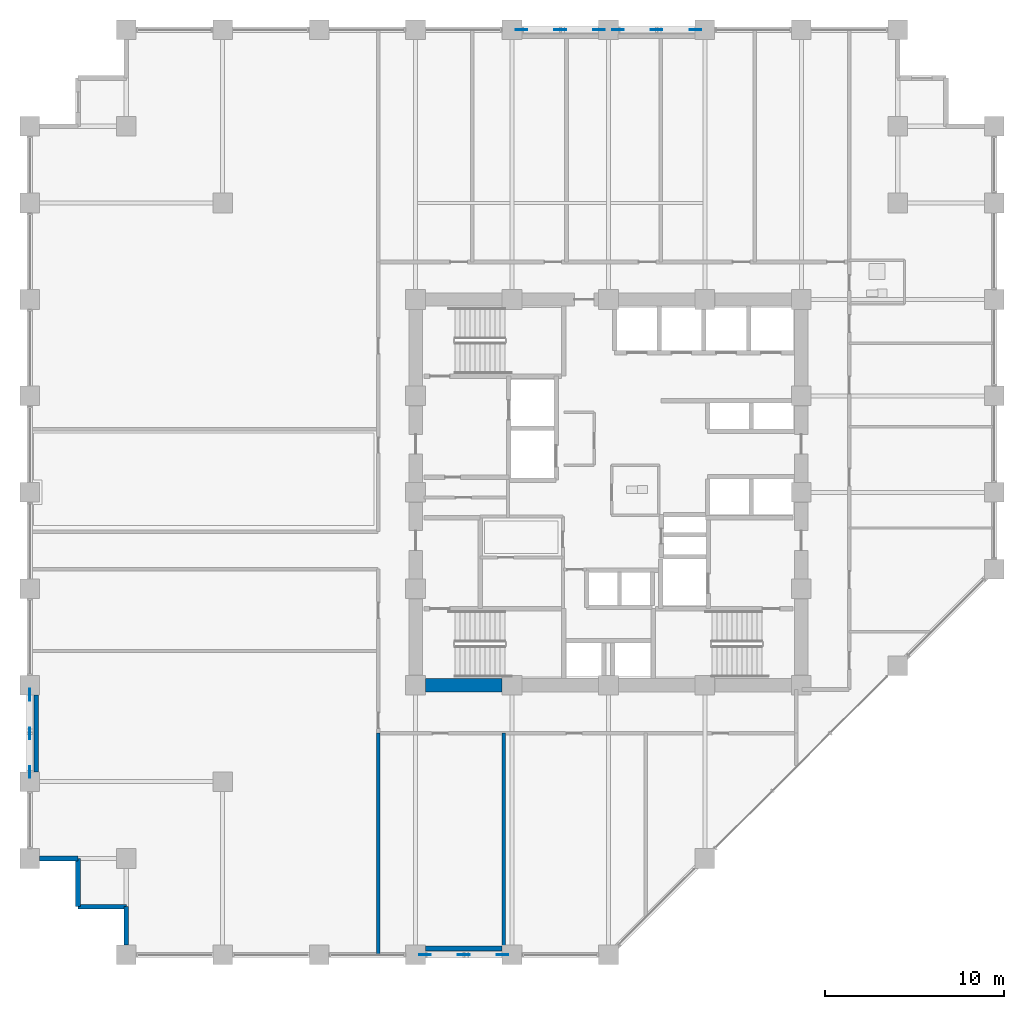
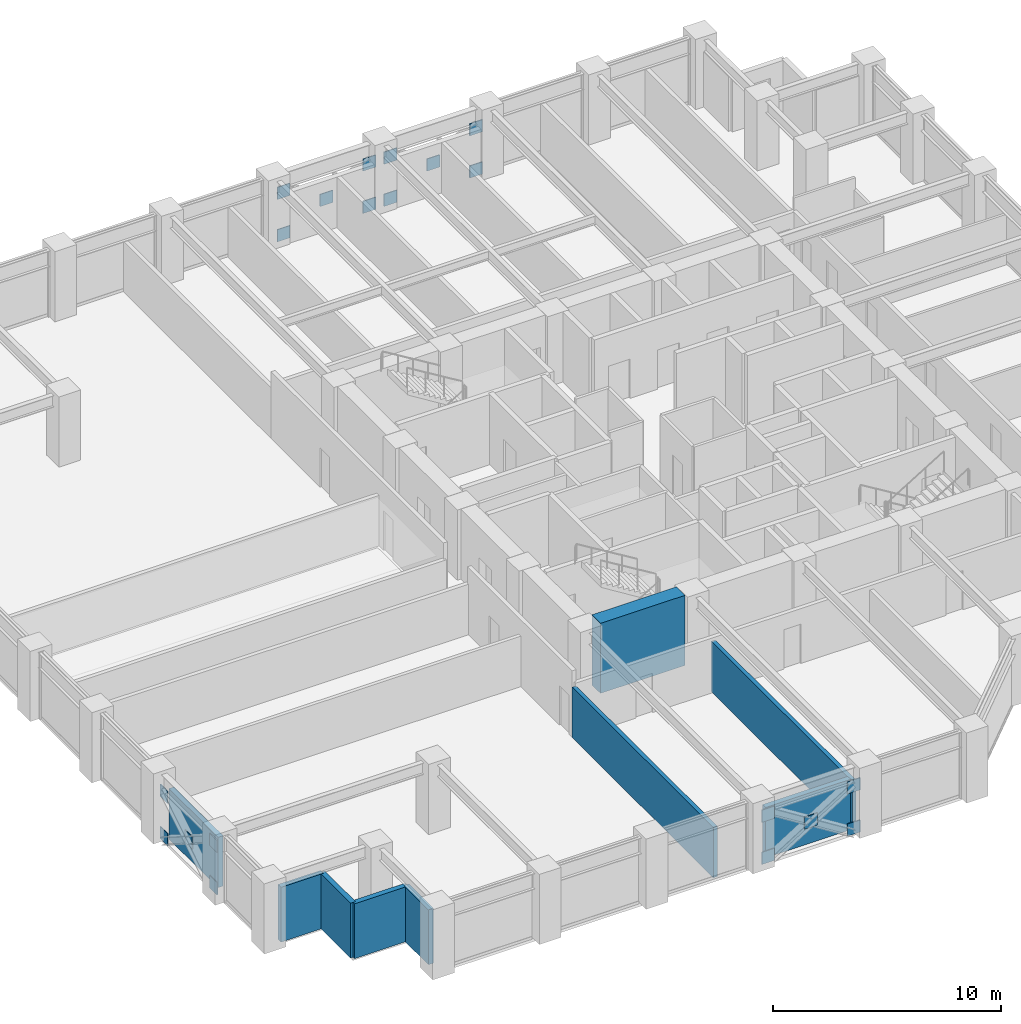
# One storey, part 18 of 25: 20 plates, 9 walls.
"""IFC4 building model written with IfcOpenShell, lengths in metres."""

from ifc_helpers import new_model, si_unit, direction, frame, frame_2d, origin, origin_2d, place, context, subcontext, project, spatial, rectangle, extrude, material, layer, layer_set, type_object, element, save


model = new_model("IFC4")

# Units and contexts
model_context = context("Model", 3, precision=1e-05, world=origin(), true_north=direction((0.0, 1.0)))
body_context = subcontext(model_context, "Body", "Model", "MODEL_VIEW")
ifc_project = project(units=[si_unit("LENGTHUNIT", "METRE"), si_unit("AREAUNIT", "SQUARE_METRE"), si_unit("VOLUMEUNIT", "CUBIC_METRE"), si_unit("PLANEANGLEUNIT", "RADIAN"), si_unit("MASSUNIT", "GRAM", prefix="KILO")], contexts=[model_context])

# Site, building, storey
site_placement = place(None, origin())
site = spatial("IfcSite", under=ifc_project, at=site_placement, CompositionType="ELEMENT")
building_placement = place(site_placement, origin())
building = spatial("IfcBuilding", under=site, at=building_placement, Name="Surkhivell Harbour Commons", CompositionType="ELEMENT")
storey_placement = place(building_placement, frame((0.0, 0.0, 117.0)))
storey = spatial("IfcBuildingStorey", under=building, at=storey_placement, Name="L30", CompositionType="ELEMENT", Elevation=117.0)

# Plates
ifc_material_1 = material(Name="Steel S460", Category="steel")
ifc_layer_1 = layer(ifc_material_1, 0.044921875)
ifc_layer_set_1 = layer_set([ifc_layer_1], Name="Steel S460")
plate_type = type_object("IfcPlateType", Name="PLT-GUS-650", PredefinedType="USERDEFINED", material=ifc_layer_set_1)
for number, where, z_axis, x_axis, name in (
    (1, (-4.864990234375, 25.89990234375, -0.08935546875), (0.0, 0.0, 1.0), (1.0, 0.0, 0.0), "L30 Perimeter Mega-Brace MB- Corner Gusset N-1"),
    (2, (-0.534912109375, 25.89990234375, -0.08935546875), (0.0, 0.0, 1.0), (1.0, 0.0, 0.0), "L30 Perimeter Mega-Brace MB- Corner Gusset N-2"),
    (3, (-4.864990234375, 25.89990234375, 2.170654296875), (0.0, 0.0, 1.0), (1.0, 0.0, 0.0), "L30 Perimeter Mega-Brace MB- Corner Gusset N-3"),
    (4, (-0.534912109375, 25.89990234375, 2.170654296875), (0.0, 0.0, 1.0), (1.0, 0.0, 0.0), "L30 Perimeter Mega-Brace MB- Corner Gusset N-4"),
    (5, (-2.699951171875, 25.89990234375, 1.04052734375), (0.0, 0.0, 1.0), (1.0, 0.0, 0.0), "L30 Perimeter Mega-Brace MB- Central Crossing Gusset N"),
    (6, (0.534912109375, 25.89990234375, -0.08935546875), (0.0, 0.0, 1.0), (1.0, 0.0, 0.0), "L30 Perimeter Mega-Brace MB- Corner Gusset N2-1"),
    (7, (4.864990234375, 25.89990234375, -0.08935546875), (0.0, 0.0, 1.0), (1.0, 0.0, 0.0), "L30 Perimeter Mega-Brace MB- Corner Gusset N2-2"),
    (8, (0.534912109375, 25.89990234375, 2.170654296875), (0.0, 0.0, 1.0), (1.0, 0.0, 0.0), "L30 Perimeter Mega-Brace MB- Corner Gusset N2-3"),
    (9, (4.864990234375, 25.89990234375, 2.170654296875), (0.0, 0.0, 1.0), (1.0, 0.0, 0.0), "L30 Perimeter Mega-Brace MB- Corner Gusset N2-4"),
    (10, (2.699951171875, 25.89990234375, 1.04052734375), (0.0, 0.0, 1.0), (1.0, 0.0, 0.0), "L30 Perimeter Mega-Brace MB- Central Crossing Gusset N2"),
    (11, (-10.264892578125, -25.89990234375, -0.08935546875), (0.0, 0.0, 1.0), (1.0, 0.0, 0.0), "L30 Perimeter Mega-Brace MB- Corner Gusset S-1"),
    (12, (-5.93505859375, -25.89990234375, -0.08935546875), (0.0, 0.0, 1.0), (1.0, 0.0, 0.0), "L30 Perimeter Mega-Brace MB- Corner Gusset S-2"),
    (13, (-10.264892578125, -25.89990234375, 2.170654296875), (0.0, 0.0, 1.0), (1.0, 0.0, 0.0), "L30 Perimeter Mega-Brace MB- Corner Gusset S-3"),
    (14, (-5.93505859375, -25.89990234375, 2.170654296875), (0.0, 0.0, 1.0), (1.0, 0.0, 0.0), "L30 Perimeter Mega-Brace MB- Corner Gusset S-4"),
    (15, (-8.10009765625, -25.89990234375, 1.04052734375), (0.0, 0.0, 1.0), (1.0, 0.0, 0.0), "L30 Perimeter Mega-Brace MB- Central Crossing Gusset S"),
    (16, (-32.39990234375, -15.6650390625, -0.08935546875), (0.0, 0.0, 1.0), (0.0, 1.0, 0.0), "L30 Perimeter Mega-Brace MB- Corner Gusset W-1"),
    (17, (-32.39990234375, -11.3349609375, -0.08935546875), (0.0, 0.0, 1.0), (0.0, 1.0, 0.0), "L30 Perimeter Mega-Brace MB- Corner Gusset W-2"),
    (18, (-32.39990234375, -15.6650390625, 2.170654296875), (0.0, 0.0, 1.0), (0.0, 1.0, 0.0), "L30 Perimeter Mega-Brace MB- Corner Gusset W-3"),
    (19, (-32.39990234375, -11.3349609375, 2.170654296875), (0.0, 0.0, 1.0), (0.0, 1.0, 0.0), "L30 Perimeter Mega-Brace MB- Corner Gusset W-4"),
    (20, (-32.39990234375, -13.5, 1.04052734375), (0.0, 0.0, 1.0), (0.0, 1.0, 0.0), "L30 Perimeter Mega-Brace MB- Central Crossing Gusset W"),
):
    element("IfcPlate", number, at=place(storey_placement, frame(where, z_axis=z_axis, x_axis=x_axis)), inside=storey, type_object=plate_type, Name=name, ObjectType="GUSSET_PLATE", PredefinedType="USERDEFINED", context=body_context, shape_type="SweptSolid", body=[
        extrude(rectangle(XDim=0.64990234375, YDim=0.044921875, at=origin_2d()), origin(), (0.0, 0.0, 1.0), 0.64990234375),
    ])

# Walls
ifc_material_2 = material(Name="Concrete C60/75", Category="concrete")
ifc_layer_2 = layer(ifc_material_2, 0.75)
ifc_layer_set_2 = layer_set([ifc_layer_2], Name="Concrete C60/75")
wall_type_1 = type_object("IfcWallType", Name="WAL-CORE-750", PredefinedType="SHEAR", material=ifc_layer_set_2)
wall_1_placement = place(storey_placement, frame((-10.239990234375, -10.800048828125, 0.0), z_axis=(0.0, 0.0, 1.0), x_axis=(1.0, 0.0, 0.0)))
element("IfcWall", 21, at=wall_1_placement, inside=storey, type_object=wall_type_1, Name="L30 Core Shear Wall South 1", PredefinedType="SHEAR", context=body_context, shape_type="SweptSolid", body=[
    extrude(rectangle(XDim=4.280029296875, YDim=0.75, at=frame_2d((2.14013671875, 0.0))), origin(), (0.0, 0.0, 1.0), 3.75),
])
ifc_material_3 = material(Name="Pale-metal insulated precast concrete C45/55", Category="concrete")
ifc_layer_3 = layer(ifc_material_3, 0.260009765625)
ifc_layer_set_3 = layer_set([ifc_layer_3], Name="Pale-metal insulated precast concrete C45/55")
wall_type_2 = type_object("IfcWallType", Name="WAL-EXT-MTL260", PredefinedType="STANDARD", material=ifc_layer_set_3)
wall_2_placement = place(storey_placement, frame((-10.251953125, -25.5400390625, 0.0), z_axis=(0.0, 0.0, 1.0), x_axis=(1.0, 0.0, 0.0)))
element("IfcWall", 22, at=wall_2_placement, inside=storey, type_object=wall_type_2, Name="L30 Braced-Bay Insulated Spandrel Backing S", PredefinedType="STANDARD", context=body_context, shape_type="SweptSolid", body=[
    extrude(rectangle(XDim=4.303955078125, YDim=0.260009765625, at=frame_2d((2.15185546875, 0.0))), origin(), (0.0, 0.0, 1.0), 2.698974609375),
])
wall_3_placement = place(storey_placement, frame((-32.0400390625, -11.347900390625, 0.0), z_axis=(0.0, 0.0, 1.0), x_axis=(0.0, -1.0, 0.0)))
element("IfcWall", 23, at=wall_3_placement, inside=storey, type_object=wall_type_2, Name="L30 Braced-Bay Insulated Spandrel Backing W", PredefinedType="STANDARD", context=body_context, shape_type="SweptSolid", body=[
    extrude(rectangle(XDim=4.30419921875, YDim=0.260009765625, at=frame_2d((2.152099609375, 0.0))), origin(), (0.0, 0.0, 1.0), 2.698974609375),
])
wall_4_placement = place(storey_placement, frame((-31.85205078125, -20.5, 0.0), z_axis=(0.0, 0.0, 1.0), x_axis=(1.0, 0.0, 0.0)))
element("IfcWall", 24, at=wall_4_placement, inside=storey, type_object=wall_type_2, Name="L30 Serrated Corner Facade Wall 13", PredefinedType="STANDARD", context=body_context, shape_type="SweptSolid", body=[
    extrude(rectangle(XDim=2.152099609375, YDim=0.260009765625, at=frame_2d((1.076171875, 0.0))), origin(), (0.0, 0.0, 1.0), 2.93310546875),
])
for number, where, z_axis, x_axis, name in (
    (25, (-29.699951171875, -20.5, 0.0), (0.0, 0.0, 1.0), (0.0, -1.0, 0.0), "L30 Serrated Corner Facade Wall 14"),
    (26, (-29.699951171875, -23.199951171875, 0.0), (0.0, 0.0, 1.0), (1.0, 0.0, 0.0), "L30 Serrated Corner Facade Wall 15"),
):
    element("IfcWall", number, at=place(storey_placement, frame(where, z_axis=z_axis, x_axis=x_axis)), inside=storey, type_object=wall_type_2, Name=name, PredefinedType="STANDARD", context=body_context, shape_type="SweptSolid", body=[
        extrude(rectangle(XDim=2.699951171875, YDim=0.260009765625, at=frame_2d((1.35009765625, 0.0))), origin(), (0.0, 0.0, 1.0), 2.93310546875),
    ])
wall_5_placement = place(storey_placement, frame((-27.0, -23.199951171875, 0.0), z_axis=(0.0, 0.0, 1.0), x_axis=(0.0, -1.0, 0.0)))
element("IfcWall", 27, at=wall_5_placement, inside=storey, type_object=wall_type_2, Name="L30 Serrated Corner Facade Wall 16", PredefinedType="STANDARD", context=body_context, shape_type="SweptSolid", body=[
    extrude(rectangle(XDim=2.152099609375, YDim=0.260009765625, at=frame_2d((1.076171875, 0.0))), origin(), (0.0, 0.0, 1.0), 2.93310546875),
])
ifc_material_4 = material(Name="Autoclaved aerated concrete blockwork and fire plaster", Category="masonry")
ifc_layer_4 = layer(ifc_material_4, 0.199951171875)
ifc_layer_set_4 = layer_set([ifc_layer_4], Name="Autoclaved aerated concrete blockwork and fire plaster")
wall_type_3 = type_object("IfcWallType", Name="WAL-INT-200", PredefinedType="PARTITIONING", material=ifc_layer_set_4)
for number, where, z_axis, x_axis, name in (
    (28, (-12.89990234375, -25.840087890625, 0.0), (0.0, 0.0, 1.0), (0.0, 1.0, 0.0), "L30 South-West Wing Corner Divider"),
    (29, (-5.8701171875, -25.840087890625, 0.0), (0.0, 0.0, 1.0), (0.0, 1.0, 0.0), "L30 South Partition P1"),
):
    element("IfcWall", number, at=place(storey_placement, frame(where, z_axis=z_axis, x_axis=x_axis)), inside=storey, type_object=wall_type_3, Name=name, PredefinedType="PARTITIONING", context=body_context, shape_type="SweptSolid", body=[
        extrude(rectangle(XDim=12.360107421875, YDim=0.199951171875, at=frame_2d((6.18017578125, 0.0))), origin(), (0.0, 0.0, 1.0), 2.698974609375),
    ])

save(model, "model.ifc")
